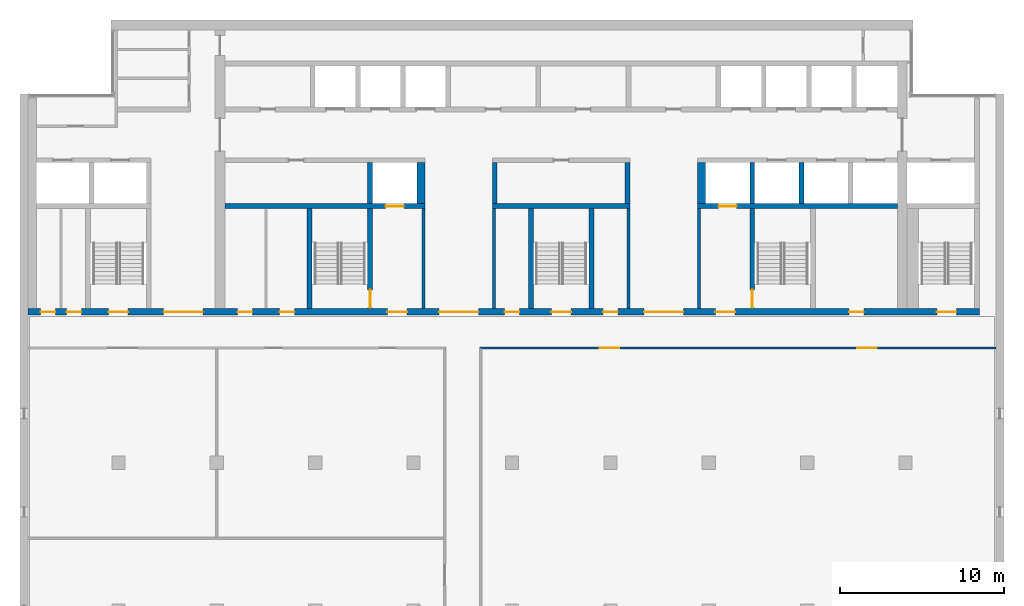
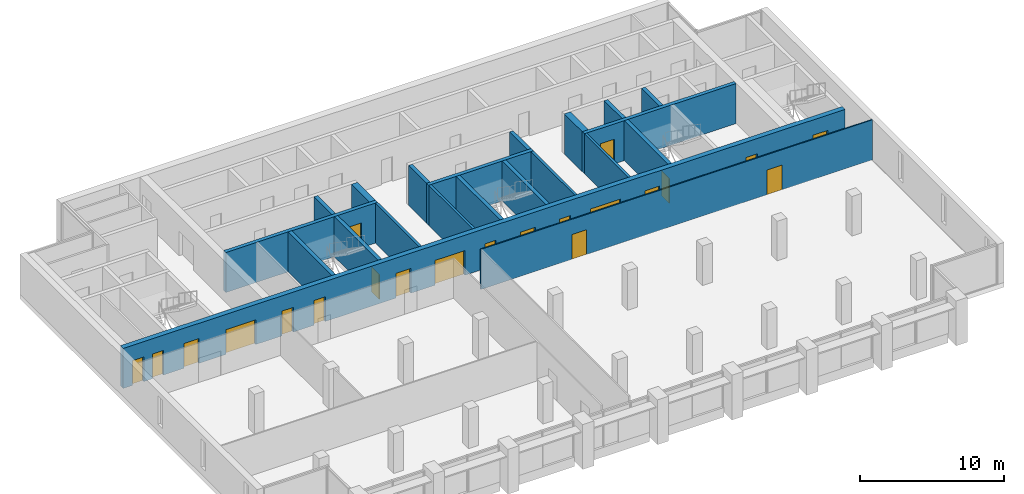
# One storey, part 8 of 14: 21 doors, 21 walls, 21 openings.
"""IFC4 building model written with IfcOpenShell, lengths in metres."""

from ifc_helpers import new_model, si_unit, direction, frame, frame_2d, origin, place, context, subcontext, project, spatial, rectangle, extrude, material, layer, layer_set, type_object, element, fill, save


model = new_model("IFC4")

# Units and contexts
model_context = context("Model", 3, precision=1e-05, world=origin(), true_north=direction((0.0, 1.0)))
body_context = subcontext(model_context, "Body", "Model", "MODEL_VIEW")
ifc_project = project(units=[si_unit("LENGTHUNIT", "METRE"), si_unit("AREAUNIT", "SQUARE_METRE"), si_unit("VOLUMEUNIT", "CUBIC_METRE"), si_unit("PLANEANGLEUNIT", "RADIAN"), si_unit("MASSUNIT", "GRAM", prefix="KILO")], contexts=[model_context])

# Site, building, storey
site_placement = place(None, origin())
site = spatial("IfcSite", under=ifc_project, at=site_placement, CompositionType="ELEMENT")
building_placement = place(site_placement, origin())
building = spatial("IfcBuilding", under=site, at=building_placement, Name="Calvaro Tower", CompositionType="ELEMENT")
storey_placement = place(building_placement, frame((0.0, 0.0, 254.550048828125)))
storey = spatial("IfcBuildingStorey", under=building, at=storey_placement, Name="L64", CompositionType="ELEMENT", Elevation=254.550048828125)

# Walls
ifc_material_1 = material(Name="Blockwork partition", Category="masonry")
ifc_layer_1 = layer(ifc_material_1, 0.199951171875)
ifc_layer_set_1 = layer_set([ifc_layer_1], Name="Blockwork partition")
wall_type_1 = type_object("IfcWallType", Name="Core partition 200 REI 120", PredefinedType="PARTITIONING", material=ifc_layer_set_1)
for number, where, z_axis, x_axis, name in (
    (1, (30.60009765625, 28.39990234375, 0.0), (0.0, 0.0, 1.0), (0.0, 1.0, 0.0), "Core partition"),
    (2, (34.89990234375, 28.39990234375, 0.0), (0.0, 0.0, 1.0), (0.0, 1.0, 0.0), "Core partition"),
    (3, (43.10009765625, 28.39990234375, 0.0), (0.0, 0.0, 1.0), (0.0, 1.0, 0.0), "Core partition"),
    (4, (47.39990234375, 28.39990234375, 0.0), (0.0, 0.0, 1.0), (0.0, 1.0, 0.0), "Core partition"),
):
    element("IfcWall", number, at=place(storey_placement, frame(where, z_axis=z_axis, x_axis=x_axis)), inside=storey, type_object=wall_type_1, Name=name, PredefinedType="PARTITIONING", context=body_context, shape_type="SweptSolid", body=[
        extrude(rectangle(XDim=6.10009765625, YDim=0.199951171875, at=frame_2d((3.050048828125, 0.0))), origin(), (0.0, 0.0, 1.0), 3.39990234375),
    ])
ifc_material_2 = material(Name="Concrete C40/50", Category="concrete")
ifc_layer_2 = layer(ifc_material_2, 0.300048828125)
ifc_layer_set_2 = layer_set([ifc_layer_2], Name="Concrete C40/50")
wall_type_2 = type_object("IfcWallType", Name="Core wall C40/50 300", PredefinedType="SHEAR", material=ifc_layer_set_2)
wall_1_placement = place(storey_placement, frame((23.64990234375, 28.39990234375, 0.0), z_axis=(0.0, 0.0, 1.0), x_axis=(0.0, 1.0, 0.0)))
element("IfcWall", 5, at=wall_1_placement, inside=storey, type_object=wall_type_2, Name="Core wall, stair enclosure", PredefinedType="SHEAR", context=body_context, shape_type="SweptSolid", body=[
    extrude(rectangle(XDim=6.10009765625, YDim=0.300048828125, at=frame_2d((3.050048828125, 0.0))), origin(), (0.0, 0.0, 1.0), 3.39990234375),
])

# Wall, opening, door
wall_2_placement = place(storey_placement, frame((27.35009765625, 28.39990234375, 0.0), z_axis=(0.0, 0.0, 1.0), x_axis=(0.0, 1.0, 0.0)))
wall_2 = element("IfcWall", 6, at=wall_2_placement, inside=storey, type_object=wall_type_2, Name="Core wall, stair enclosure", PredefinedType="SHEAR", context=body_context, shape_type="SweptSolid", body=[
    extrude(rectangle(XDim=6.10009765625, YDim=0.300048828125, at=frame_2d((3.050048828125, 0.0))), origin(), (0.0, 0.0, 1.0), 3.39990234375),
])
opening_1_placement = place(wall_2_placement, frame((0.050048828125, 0.0, 0.0)))
opening_1 = element("IfcOpeningElement", 7, at=opening_1_placement, cuts=wall_2, Name="Opening FD11D", PredefinedType="OPENING", context=body_context, shape_type="SweptSolid", body=[
    extrude(rectangle(XDim=1.10009765625, YDim=2.10009765625, at=frame_2d((0.550048828125, 1.050048828125))), frame((0.0, 0.159912109375, 0.0), z_axis=(0.0, -1.0, 0.0), x_axis=(1.0, 0.0, 0.0)), (0.0, 0.0, 1.0), 0.320068359375),
])
ifc_material_3 = material(Name="Steel door set", Category="steel")
door_type_1 = type_object("IfcDoorType", Name="Fire door 1100 FD30S", OperationType="SINGLE_SWING_LEFT", PredefinedType="DOOR", material=ifc_material_3)
door_1_placement = place(opening_1_placement, origin())
door_1 = element("IfcDoor", 8, at=door_1_placement, inside=storey, type_object=door_type_1, Name="Fire door", OperationType="SINGLE_SWING_LEFT", OverallHeight=2.10009765625, OverallWidth=1.10009765625, PredefinedType="DOOR", context=body_context, shape_type="SweptSolid", body=[
    extrude(rectangle(XDim=1.10009765625, YDim=2.10009765625, at=frame_2d((0.550048828125, 1.050048828125))), frame((0.0, 0.02490234375, 0.0), z_axis=(0.0, -1.0, 0.0), x_axis=(1.0, 0.0, 0.0)), (0.0, 0.0, 1.0), 0.050048828125),
])
fill(opening_1, door_1)

# Walls
for number, where, z_axis, x_axis, name in (
    (9, (37.14990234375, 28.39990234375, 0.0), (0.0, 0.0, 1.0), (0.0, 1.0, 0.0), "Core wall, stair enclosure"),
    (10, (40.85009765625, 28.39990234375, 0.0), (0.0, 0.0, 1.0), (0.0, 1.0, 0.0), "Core wall, stair enclosure"),
):
    element("IfcWall", number, at=place(storey_placement, frame(where, z_axis=z_axis, x_axis=x_axis)), inside=storey, type_object=wall_type_2, Name=name, PredefinedType="SHEAR", context=body_context, shape_type="SweptSolid", body=[
        extrude(rectangle(XDim=6.10009765625, YDim=0.300048828125, at=frame_2d((3.050048828125, 0.0))), origin(), (0.0, 0.0, 1.0), 3.39990234375),
    ])

# Wall, opening, door
wall_3_placement = place(storey_placement, frame((50.64990234375, 34.5, 0.0), z_axis=(0.0, 0.0, 1.0), x_axis=(0.0, -1.0, 0.0)))
wall_3 = element("IfcWall", 11, at=wall_3_placement, inside=storey, type_object=wall_type_2, Name="Core wall, stair enclosure", PredefinedType="SHEAR", context=body_context, shape_type="SweptSolid", body=[
    extrude(rectangle(XDim=6.10009765625, YDim=0.300048828125, at=frame_2d((3.050048828125, 0.0))), origin(), (0.0, 0.0, 1.0), 3.39990234375),
])
opening_2_placement = place(wall_3_placement, frame((4.949951171875, 0.0, 0.0)))
opening_2 = element("IfcOpeningElement", 12, at=opening_2_placement, cuts=wall_3, Name="Opening FD11D", PredefinedType="OPENING", context=body_context, shape_type="SweptSolid", body=[
    extrude(rectangle(XDim=1.10009765625, YDim=2.10009765625, at=frame_2d((0.550048828125, 1.050048828125))), frame((0.0, 0.159912109375, 0.0), z_axis=(0.0, -1.0, 0.0), x_axis=(1.0, 0.0, 0.0)), (0.0, 0.0, 1.0), 0.320068359375),
])
door_2_placement = place(opening_2_placement, origin())
door_2 = element("IfcDoor", 13, at=door_2_placement, inside=storey, type_object=door_type_1, Name="Fire door", OperationType="SINGLE_SWING_RIGHT", OverallHeight=2.10009765625, OverallWidth=1.10009765625, PredefinedType="DOOR", context=body_context, shape_type="SweptSolid", body=[
    extrude(rectangle(XDim=1.10009765625, YDim=2.10009765625, at=frame_2d((0.550048828125, 1.050048828125))), frame((0.0, 0.02490234375, 0.0), z_axis=(0.0, -1.0, 0.0), x_axis=(1.0, 0.0, 0.0)), (0.0, 0.0, 1.0), 0.050048828125),
])
fill(opening_2, door_2)

wall_4_placement = place(storey_placement, frame((18.5, 34.64990234375, 0.0), z_axis=(0.0, 0.0, 1.0), x_axis=(1.0, 0.0, 0.0)))
wall_4 = element("IfcWall", 14, at=wall_4_placement, inside=storey, type_object=wall_type_2, Name="Core wall, lift shaft", PredefinedType="SHEAR", context=body_context, shape_type="SweptSolid", body=[
    extrude(rectangle(XDim=12.199951171875, YDim=0.300048828125, at=frame_2d((6.10009765625, 0.0))), origin(), (0.0, 0.0, 1.0), 3.39990234375),
])
opening_3_placement = place(wall_4_placement, frame((9.800048828125, 0.0, 0.0)))
opening_3 = element("IfcOpeningElement", 15, at=opening_3_placement, cuts=wall_4, Name="Opening FF1", PredefinedType="OPENING", context=body_context, shape_type="SweptSolid", body=[
    extrude(rectangle(XDim=1.10009765625, YDim=2.10009765625, at=frame_2d((0.550048828125, 1.050048828125))), frame((0.0, 0.159912109375, 0.0), z_axis=(0.0, -1.0, 0.0), x_axis=(1.0, 0.0, 0.0)), (0.0, 0.0, 1.0), 0.320068359375),
])
ifc_material_4 = material(Name="Stainless steel", Category="steel")
door_type_2 = type_object("IfcDoorType", Name="Landing door 1100 E 60", OperationType="SLIDING_TO_LEFT", PredefinedType="DOOR", material=ifc_material_4)
door_3_placement = place(opening_3_placement, origin())
door_3 = element("IfcDoor", 16, at=door_3_placement, inside=storey, type_object=door_type_2, Name="Landing door FF1", OperationType="SLIDING_TO_LEFT", OverallHeight=2.10009765625, OverallWidth=1.10009765625, PredefinedType="DOOR", context=body_context, shape_type="SweptSolid", body=[
    extrude(rectangle(XDim=1.10009765625, YDim=2.10009765625, at=frame_2d((0.550048828125, 1.050048828125))), frame((0.0, 0.02490234375, 0.0), z_axis=(0.0, -1.0, 0.0), x_axis=(1.0, 0.0, 0.0)), (0.0, 0.0, 1.0), 0.050048828125),
])
fill(opening_3, door_3)

# Wall
wall_5_placement = place(storey_placement, frame((34.800048828125, 34.64990234375, 0.0), z_axis=(0.0, 0.0, 1.0), x_axis=(1.0, 0.0, 0.0)))
element("IfcWall", 17, at=wall_5_placement, inside=storey, type_object=wall_type_2, Name="Core wall, lift shaft", PredefinedType="SHEAR", context=body_context, shape_type="SweptSolid", body=[
    extrude(rectangle(XDim=8.39990234375, YDim=0.300048828125, at=frame_2d((4.199951171875, 0.0))), origin(), (0.0, 0.0, 1.0), 3.39990234375),
])

# Wall, opening, door
wall_6_placement = place(storey_placement, frame((47.300048828125, 34.64990234375, 0.0), z_axis=(0.0, 0.0, 1.0), x_axis=(1.0, 0.0, 0.0)))
wall_6 = element("IfcWall", 18, at=wall_6_placement, inside=storey, type_object=wall_type_2, Name="Core wall, lift shaft", PredefinedType="SHEAR", context=body_context, shape_type="SweptSolid", body=[
    extrude(rectangle(XDim=12.199951171875, YDim=0.300048828125, at=frame_2d((6.10009765625, 0.0))), origin(), (0.0, 0.0, 1.0), 3.39990234375),
])
opening_4_placement = place(wall_6_placement, frame((1.300048828125, 0.0, 0.0)))
opening_4 = element("IfcOpeningElement", 19, at=opening_4_placement, cuts=wall_6, Name="Opening FF2", PredefinedType="OPENING", context=body_context, shape_type="SweptSolid", body=[
    extrude(rectangle(XDim=1.10009765625, YDim=2.10009765625, at=frame_2d((0.550048828125, 1.050048828125))), frame((0.0, 0.159912109375, 0.0), z_axis=(0.0, -1.0, 0.0), x_axis=(1.0, 0.0, 0.0)), (0.0, 0.0, 1.0), 0.320068359375),
])
door_4_placement = place(opening_4_placement, origin())
door_4 = element("IfcDoor", 20, at=door_4_placement, inside=storey, type_object=door_type_2, Name="Landing door FF2", OperationType="SLIDING_TO_LEFT", OverallHeight=2.10009765625, OverallWidth=1.10009765625, PredefinedType="DOOR", context=body_context, shape_type="SweptSolid", body=[
    extrude(rectangle(XDim=1.10009765625, YDim=2.10009765625, at=frame_2d((0.550048828125, 1.050048828125))), frame((0.0, 0.02490234375, 0.0), z_axis=(0.0, -1.0, 0.0), x_axis=(1.0, 0.0, 0.0)), (0.0, 0.0, 1.0), 0.050048828125),
])
fill(opening_4, door_4)

# Walls
for number, where, z_axis, x_axis, name in (
    (21, (27.35009765625, 34.800048828125, 0.0), (0.0, 0.0, 1.0), (0.0, 1.0, 0.0), "Core wall, lift shaft"),
    (22, (34.949951171875, 34.800048828125, 0.0), (0.0, 0.0, 1.0), (0.0, 1.0, 0.0), "Core wall, lift shaft"),
    (23, (43.050048828125, 34.800048828125, 0.0), (0.0, 0.0, 1.0), (0.0, 1.0, 0.0), "Core wall, lift shaft"),
    (24, (50.64990234375, 34.800048828125, 0.0), (0.0, 0.0, 1.0), (0.0, 1.0, 0.0), "Core wall, lift shaft"),
    (25, (53.64990234375, 34.800048828125, 0.0), (0.0, 0.0, 1.0), (0.0, 1.0, 0.0), "Core wall, lift shaft"),
):
    element("IfcWall", number, at=place(storey_placement, frame(where, z_axis=z_axis, x_axis=x_axis)), inside=storey, type_object=wall_type_2, Name=name, PredefinedType="SHEAR", context=body_context, shape_type="SweptSolid", body=[
        extrude(rectangle(XDim=2.5, YDim=0.300048828125, at=frame_2d((1.25, 0.0))), origin(), (0.0, 0.0, 1.0), 3.39990234375),
    ])

# Wall, openings, doors
ifc_material_5 = material(Name="Concrete C40/50", Category="concrete")
ifc_layer_3 = layer(ifc_material_5, 0.39990234375)
ifc_layer_set_3 = layer_set([ifc_layer_3], Name="Concrete C40/50")
wall_type_3 = type_object("IfcWallType", Name="Core wall C40/50 400", PredefinedType="SHEAR", material=ifc_layer_set_3)
wall_7_placement = place(storey_placement, frame((6.5, 28.199951171875, 0.0), z_axis=(0.0, 0.0, 1.0), x_axis=(1.0, 0.0, 0.0)))
wall_7 = element("IfcWall", 26, at=wall_7_placement, inside=storey, type_object=wall_type_3, Name="Core wall, front", PredefinedType="SHEAR", context=body_context, shape_type="SweptSolid", body=[
    extrude(rectangle(XDim=58.0, YDim=0.39990234375, at=frame_2d((29.0, 0.0))), origin(), (0.0, 0.0, 1.0), 3.39990234375),
])
opening_5_placement = place(wall_7_placement, frame((12.762451171875, 0.0, 0.0)))
opening_5 = element("IfcOpeningElement", 27, at=opening_5_placement, cuts=wall_7, Name="Opening RD9E", PredefinedType="OPENING", context=body_context, shape_type="SweptSolid", body=[
    extrude(rectangle(XDim=0.89990234375, YDim=2.10009765625, at=frame_2d((0.449951171875, 1.050048828125))), frame((0.0, 0.2099609375, 0.0), z_axis=(0.0, -1.0, 0.0), x_axis=(1.0, 0.0, 0.0)), (0.0, 0.0, 1.0), 0.419921875),
])
opening_6_placement = place(wall_7_placement, frame((15.33740234375, 0.0, 0.0)))
opening_6 = element("IfcOpeningElement", 28, at=opening_6_placement, cuts=wall_7, Name="Opening RD9C", PredefinedType="OPENING", context=body_context, shape_type="SweptSolid", body=[
    extrude(rectangle(XDim=0.89990234375, YDim=2.10009765625, at=frame_2d((0.449951171875, 1.050048828125))), frame((0.0, 0.2099609375, 0.0), z_axis=(0.0, -1.0, 0.0), x_axis=(1.0, 0.0, 0.0)), (0.0, 0.0, 1.0), 0.419921875),
])
opening_7_placement = place(wall_7_placement, frame((50.050048828125, 0.0, 0.0)))
opening_7 = element("IfcOpeningElement", 29, at=opening_7_placement, cuts=wall_7, Name="Opening RD9E", PredefinedType="OPENING", context=body_context, shape_type="SweptSolid", body=[
    extrude(rectangle(XDim=0.89990234375, YDim=2.10009765625, at=frame_2d((0.449951171875, 1.050048828125))), frame((0.0, 0.2099609375, 0.0), z_axis=(0.0, -1.0, 0.0), x_axis=(1.0, 0.0, 0.0)), (0.0, 0.0, 1.0), 0.419921875),
])
opening_8_placement = place(wall_7_placement, frame((0.762451171875, 0.0, 0.0)))
opening_8 = element("IfcOpeningElement", 30, at=opening_8_placement, cuts=wall_7, Name="Opening RD9C", PredefinedType="OPENING", context=body_context, shape_type="SweptSolid", body=[
    extrude(rectangle(XDim=0.89990234375, YDim=2.10009765625, at=frame_2d((0.449951171875, 1.050048828125))), frame((0.0, 0.2099609375, 0.0), z_axis=(0.0, -1.0, 0.0), x_axis=(1.0, 0.0, 0.0)), (0.0, 0.0, 1.0), 0.419921875),
])
opening_9_placement = place(wall_7_placement, frame((2.33740234375, 0.0, 0.0)))
opening_9 = element("IfcOpeningElement", 31, at=opening_9_placement, cuts=wall_7, Name="Opening RD9E", PredefinedType="OPENING", context=body_context, shape_type="SweptSolid", body=[
    extrude(rectangle(XDim=0.89990234375, YDim=2.10009765625, at=frame_2d((0.449951171875, 1.050048828125))), frame((0.0, 0.2099609375, 0.0), z_axis=(0.0, -1.0, 0.0), x_axis=(1.0, 0.0, 0.0)), (0.0, 0.0, 1.0), 0.419921875),
])
opening_10_placement = place(wall_7_placement, frame((4.89990234375, 0.0, 0.0)))
opening_10 = element("IfcOpeningElement", 32, at=opening_10_placement, cuts=wall_7, Name="Opening SD12D", PredefinedType="OPENING", context=body_context, shape_type="SweptSolid", body=[
    extrude(rectangle(XDim=1.199951171875, YDim=2.10009765625, at=frame_2d((0.60009765625, 1.050048828125))), frame((0.0, 0.2099609375, 0.0), z_axis=(0.0, -1.0, 0.0), x_axis=(1.0, 0.0, 0.0)), (0.0, 0.0, 1.0), 0.419921875),
])
opening_11_placement = place(wall_7_placement, frame((31.89990234375, 0.0, 0.0)))
opening_11 = element("IfcOpeningElement", 33, at=opening_11_placement, cuts=wall_7, Name="Opening SD12D", PredefinedType="OPENING", context=body_context, shape_type="SweptSolid", body=[
    extrude(rectangle(XDim=1.199951171875, YDim=2.10009765625, at=frame_2d((0.60009765625, 1.050048828125))), frame((0.0, 0.2099609375, 0.0), z_axis=(0.0, -1.0, 0.0), x_axis=(1.0, 0.0, 0.0)), (0.0, 0.0, 1.0), 0.419921875),
])
opening_12_placement = place(wall_7_placement, frame((55.39990234375, 0.0, 0.0)))
opening_12 = element("IfcOpeningElement", 34, at=opening_12_placement, cuts=wall_7, Name="Opening SD12D", PredefinedType="OPENING", context=body_context, shape_type="SweptSolid", body=[
    extrude(rectangle(XDim=1.199951171875, YDim=2.10009765625, at=frame_2d((0.60009765625, 1.050048828125))), frame((0.0, 0.2099609375, 0.0), z_axis=(0.0, -1.0, 0.0), x_axis=(1.0, 0.0, 0.0)), (0.0, 0.0, 1.0), 0.419921875),
])
opening_13_placement = place(wall_7_placement, frame((21.89990234375, 0.0, 0.0)))
opening_13 = element("IfcOpeningElement", 35, at=opening_13_placement, cuts=wall_7, Name="Opening FD12F", PredefinedType="OPENING", context=body_context, shape_type="SweptSolid", body=[
    extrude(rectangle(XDim=1.199951171875, YDim=2.10009765625, at=frame_2d((0.60009765625, 1.050048828125))), frame((0.0, 0.2099609375, 0.0), z_axis=(0.0, -1.0, 0.0), x_axis=(1.0, 0.0, 0.0)), (0.0, 0.0, 1.0), 0.419921875),
])
opening_14_placement = place(wall_7_placement, frame((41.89990234375, 0.0, 0.0)))
opening_14 = element("IfcOpeningElement", 36, at=opening_14_placement, cuts=wall_7, Name="Opening FD12F", PredefinedType="OPENING", context=body_context, shape_type="SweptSolid", body=[
    extrude(rectangle(XDim=1.199951171875, YDim=2.10009765625, at=frame_2d((0.60009765625, 1.050048828125))), frame((0.0, 0.2099609375, 0.0), z_axis=(0.0, -1.0, 0.0), x_axis=(1.0, 0.0, 0.0)), (0.0, 0.0, 1.0), 0.419921875),
])
opening_15_placement = place(wall_7_placement, frame((25.050048828125, 0.0, 0.0)))
opening_15 = element("IfcOpeningElement", 37, at=opening_15_placement, cuts=wall_7, Name="Opening DD24D", PredefinedType="OPENING", context=body_context, shape_type="SweptSolid", body=[
    extrude(rectangle(XDim=2.39990234375, YDim=2.10009765625, at=frame_2d((1.199951171875, 1.050048828125))), frame((0.0, 0.2099609375, 0.0), z_axis=(0.0, -1.0, 0.0), x_axis=(1.0, 0.0, 0.0)), (0.0, 0.0, 1.0), 0.419921875),
])
opening_16_placement = place(wall_7_placement, frame((37.550048828125, 0.0, 0.0)))
opening_16 = element("IfcOpeningElement", 38, at=opening_16_placement, cuts=wall_7, Name="Opening DD24D", PredefinedType="OPENING", context=body_context, shape_type="SweptSolid", body=[
    extrude(rectangle(XDim=2.39990234375, YDim=2.10009765625, at=frame_2d((1.199951171875, 1.050048828125))), frame((0.0, 0.2099609375, 0.0), z_axis=(0.0, -1.0, 0.0), x_axis=(1.0, 0.0, 0.0)), (0.0, 0.0, 1.0), 0.419921875),
])
opening_17_placement = place(wall_7_placement, frame((8.25, 0.0, 0.0)))
opening_17 = element("IfcOpeningElement", 39, at=opening_17_placement, cuts=wall_7, Name="Opening DD24D", PredefinedType="OPENING", context=body_context, shape_type="SweptSolid", body=[
    extrude(rectangle(XDim=2.39990234375, YDim=2.10009765625, at=frame_2d((1.199951171875, 1.050048828125))), frame((0.0, 0.2099609375, 0.0), z_axis=(0.0, -1.0, 0.0), x_axis=(1.0, 0.0, 0.0)), (0.0, 0.0, 1.0), 0.419921875),
])
opening_18_placement = place(wall_7_placement, frame((29.050048828125, 0.0, 0.0)))
opening_18 = element("IfcOpeningElement", 40, at=opening_18_placement, cuts=wall_7, Name="Opening RD9E", PredefinedType="OPENING", context=body_context, shape_type="SweptSolid", body=[
    extrude(rectangle(XDim=0.89990234375, YDim=2.10009765625, at=frame_2d((0.449951171875, 1.050048828125))), frame((0.0, 0.2099609375, 0.0), z_axis=(0.0, -1.0, 0.0), x_axis=(1.0, 0.0, 0.0)), (0.0, 0.0, 1.0), 0.419921875),
])
opening_19_placement = place(wall_7_placement, frame((35.050048828125, 0.0, 0.0)))
opening_19 = element("IfcOpeningElement", 41, at=opening_19_placement, cuts=wall_7, Name="Opening RD9E", PredefinedType="OPENING", context=body_context, shape_type="SweptSolid", body=[
    extrude(rectangle(XDim=0.89990234375, YDim=2.10009765625, at=frame_2d((0.449951171875, 1.050048828125))), frame((0.0, 0.2099609375, 0.0), z_axis=(0.0, -1.0, 0.0), x_axis=(1.0, 0.0, 0.0)), (0.0, 0.0, 1.0), 0.419921875),
])
ifc_material_6 = material(Name="Steel door set", Category="steel")
door_type_3 = type_object("IfcDoorType", Name="Fire door 1200 FD60S", OperationType="SINGLE_SWING_LEFT", PredefinedType="DOOR", material=ifc_material_6)
door_5_placement = place(opening_13_placement, origin())
door_5 = element("IfcDoor", 42, at=door_5_placement, inside=storey, type_object=door_type_3, Name="Fire door", OperationType="SINGLE_SWING_LEFT", OverallHeight=2.10009765625, OverallWidth=1.199951171875, PredefinedType="DOOR", context=body_context, shape_type="SweptSolid", body=[
    extrude(rectangle(XDim=1.199951171875, YDim=2.10009765625, at=frame_2d((0.60009765625, 1.050048828125))), frame((0.0, 0.02490234375, 0.0), z_axis=(0.0, -1.0, 0.0), x_axis=(1.0, 0.0, 0.0)), (0.0, 0.0, 1.0), 0.050048828125),
])
fill(opening_13, door_5)
door_6_placement = place(opening_14_placement, origin())
door_6 = element("IfcDoor", 43, at=door_6_placement, inside=storey, type_object=door_type_3, Name="Fire door", OperationType="SINGLE_SWING_LEFT", OverallHeight=2.10009765625, OverallWidth=1.199951171875, PredefinedType="DOOR", context=body_context, shape_type="SweptSolid", body=[
    extrude(rectangle(XDim=1.199951171875, YDim=2.10009765625, at=frame_2d((0.60009765625, 1.050048828125))), frame((0.0, 0.02490234375, 0.0), z_axis=(0.0, -1.0, 0.0), x_axis=(1.0, 0.0, 0.0)), (0.0, 0.0, 1.0), 0.050048828125),
])
fill(opening_14, door_6)
ifc_material_7 = material(Name="Steel door set", Category="steel")
door_type_4 = type_object("IfcDoorType", Name="Lobby double door 2400 FD30S", OperationType="DOUBLE_DOOR_SINGLE_SWING", PredefinedType="DOOR", material=ifc_material_7)
door_7_placement = place(opening_15_placement, origin())
door_7 = element("IfcDoor", 44, at=door_7_placement, inside=storey, type_object=door_type_4, Name="Lobby double door", OperationType="DOUBLE_DOOR_SINGLE_SWING", OverallHeight=2.10009765625, OverallWidth=2.39990234375, PredefinedType="DOOR", context=body_context, shape_type="SweptSolid", body=[
    extrude(rectangle(XDim=2.39990234375, YDim=2.10009765625, at=frame_2d((1.199951171875, 1.050048828125))), frame((0.0, 0.02490234375, 0.0), z_axis=(0.0, -1.0, 0.0), x_axis=(1.0, 0.0, 0.0)), (0.0, 0.0, 1.0), 0.050048828125),
])
fill(opening_15, door_7)
door_8_placement = place(opening_16_placement, origin())
door_8 = element("IfcDoor", 45, at=door_8_placement, inside=storey, type_object=door_type_4, Name="Lobby double door", OperationType="DOUBLE_DOOR_SINGLE_SWING", OverallHeight=2.10009765625, OverallWidth=2.39990234375, PredefinedType="DOOR", context=body_context, shape_type="SweptSolid", body=[
    extrude(rectangle(XDim=2.39990234375, YDim=2.10009765625, at=frame_2d((1.199951171875, 1.050048828125))), frame((0.0, 0.02490234375, 0.0), z_axis=(0.0, -1.0, 0.0), x_axis=(1.0, 0.0, 0.0)), (0.0, 0.0, 1.0), 0.050048828125),
])
fill(opening_16, door_8)
door_9_placement = place(opening_17_placement, origin())
door_9 = element("IfcDoor", 46, at=door_9_placement, inside=storey, type_object=door_type_4, Name="Lobby double door", OperationType="DOUBLE_DOOR_SINGLE_SWING", OverallHeight=2.10009765625, OverallWidth=2.39990234375, PredefinedType="DOOR", context=body_context, shape_type="SweptSolid", body=[
    extrude(rectangle(XDim=2.39990234375, YDim=2.10009765625, at=frame_2d((1.199951171875, 1.050048828125))), frame((0.0, 0.02490234375, 0.0), z_axis=(0.0, -1.0, 0.0), x_axis=(1.0, 0.0, 0.0)), (0.0, 0.0, 1.0), 0.050048828125),
])
fill(opening_17, door_9)
ifc_material_8 = material(Name="Steel door set", Category="steel")
door_type_5 = type_object("IfcDoorType", Name="Room door 900 FD30", OperationType="SINGLE_SWING_LEFT", PredefinedType="DOOR", material=ifc_material_8)
door_10_placement = place(opening_6_placement, origin())
door_10 = element("IfcDoor", 47, at=door_10_placement, inside=storey, type_object=door_type_5, Name="Room door", OperationType="SINGLE_SWING_RIGHT", OverallHeight=2.10009765625, OverallWidth=0.89990234375, PredefinedType="DOOR", context=body_context, shape_type="SweptSolid", body=[
    extrude(rectangle(XDim=0.89990234375, YDim=2.10009765625, at=frame_2d((0.449951171875, 1.050048828125))), frame((0.0, 0.02490234375, 0.0), z_axis=(0.0, -1.0, 0.0), x_axis=(1.0, 0.0, 0.0)), (0.0, 0.0, 1.0), 0.050048828125),
])
fill(opening_6, door_10)
door_11_placement = place(opening_8_placement, origin())
door_11 = element("IfcDoor", 48, at=door_11_placement, inside=storey, type_object=door_type_5, Name="Room door", OperationType="SINGLE_SWING_LEFT", OverallHeight=2.10009765625, OverallWidth=0.89990234375, PredefinedType="DOOR", context=body_context, shape_type="SweptSolid", body=[
    extrude(rectangle(XDim=0.89990234375, YDim=2.10009765625, at=frame_2d((0.449951171875, 1.050048828125))), frame((0.0, 0.02490234375, 0.0), z_axis=(0.0, -1.0, 0.0), x_axis=(1.0, 0.0, 0.0)), (0.0, 0.0, 1.0), 0.050048828125),
])
fill(opening_8, door_11)
ifc_material_9 = material(Name="Steel door set", Category="steel")
door_type_6 = type_object("IfcDoorType", Name="Room door 900 FD60", OperationType="SINGLE_SWING_LEFT", PredefinedType="DOOR", material=ifc_material_9)
door_12_placement = place(opening_5_placement, origin())
door_12 = element("IfcDoor", 49, at=door_12_placement, inside=storey, type_object=door_type_6, Name="Room door", OperationType="SINGLE_SWING_LEFT", OverallHeight=2.10009765625, OverallWidth=0.89990234375, PredefinedType="DOOR", context=body_context, shape_type="SweptSolid", body=[
    extrude(rectangle(XDim=0.89990234375, YDim=2.10009765625, at=frame_2d((0.449951171875, 1.050048828125))), frame((0.0, 0.02490234375, 0.0), z_axis=(0.0, -1.0, 0.0), x_axis=(1.0, 0.0, 0.0)), (0.0, 0.0, 1.0), 0.050048828125),
])
fill(opening_5, door_12)
door_13_placement = place(opening_7_placement, origin())
door_13 = element("IfcDoor", 50, at=door_13_placement, inside=storey, type_object=door_type_6, Name="Room door", OperationType="SINGLE_SWING_LEFT", OverallHeight=2.10009765625, OverallWidth=0.89990234375, PredefinedType="DOOR", context=body_context, shape_type="SweptSolid", body=[
    extrude(rectangle(XDim=0.89990234375, YDim=2.10009765625, at=frame_2d((0.449951171875, 1.050048828125))), frame((0.0, 0.02490234375, 0.0), z_axis=(0.0, -1.0, 0.0), x_axis=(1.0, 0.0, 0.0)), (0.0, 0.0, 1.0), 0.050048828125),
])
fill(opening_7, door_13)
door_14_placement = place(opening_9_placement, origin())
door_14 = element("IfcDoor", 51, at=door_14_placement, inside=storey, type_object=door_type_6, Name="Room door", OperationType="SINGLE_SWING_LEFT", OverallHeight=2.10009765625, OverallWidth=0.89990234375, PredefinedType="DOOR", context=body_context, shape_type="SweptSolid", body=[
    extrude(rectangle(XDim=0.89990234375, YDim=2.10009765625, at=frame_2d((0.449951171875, 1.050048828125))), frame((0.0, 0.02490234375, 0.0), z_axis=(0.0, -1.0, 0.0), x_axis=(1.0, 0.0, 0.0)), (0.0, 0.0, 1.0), 0.050048828125),
])
fill(opening_9, door_14)
door_15_placement = place(opening_18_placement, origin())
door_15 = element("IfcDoor", 52, at=door_15_placement, inside=storey, type_object=door_type_6, Name="Room door", OperationType="SINGLE_SWING_LEFT", OverallHeight=2.10009765625, OverallWidth=0.89990234375, PredefinedType="DOOR", context=body_context, shape_type="SweptSolid", body=[
    extrude(rectangle(XDim=0.89990234375, YDim=2.10009765625, at=frame_2d((0.449951171875, 1.050048828125))), frame((0.0, 0.02490234375, 0.0), z_axis=(0.0, -1.0, 0.0), x_axis=(1.0, 0.0, 0.0)), (0.0, 0.0, 1.0), 0.050048828125),
])
fill(opening_18, door_15)
door_16_placement = place(opening_19_placement, origin())
door_16 = element("IfcDoor", 53, at=door_16_placement, inside=storey, type_object=door_type_6, Name="Room door", OperationType="SINGLE_SWING_LEFT", OverallHeight=2.10009765625, OverallWidth=0.89990234375, PredefinedType="DOOR", context=body_context, shape_type="SweptSolid", body=[
    extrude(rectangle(XDim=0.89990234375, YDim=2.10009765625, at=frame_2d((0.449951171875, 1.050048828125))), frame((0.0, 0.02490234375, 0.0), z_axis=(0.0, -1.0, 0.0), x_axis=(1.0, 0.0, 0.0)), (0.0, 0.0, 1.0), 0.050048828125),
])
fill(opening_19, door_16)
ifc_material_10 = material(Name="Steel door set", Category="steel")
door_type_7 = type_object("IfcDoorType", Name="Stair door 1200 FD30S", OperationType="SINGLE_SWING_LEFT", PredefinedType="DOOR", material=ifc_material_10)
door_17_placement = place(opening_10_placement, origin())
door_17 = element("IfcDoor", 54, at=door_17_placement, inside=storey, type_object=door_type_7, Name="Stair door", OperationType="SINGLE_SWING_LEFT", OverallHeight=2.10009765625, OverallWidth=1.199951171875, PredefinedType="DOOR", context=body_context, shape_type="SweptSolid", body=[
    extrude(rectangle(XDim=1.199951171875, YDim=2.10009765625, at=frame_2d((0.60009765625, 1.050048828125))), frame((0.0, 0.02490234375, 0.0), z_axis=(0.0, -1.0, 0.0), x_axis=(1.0, 0.0, 0.0)), (0.0, 0.0, 1.0), 0.050048828125),
])
fill(opening_10, door_17)
door_18_placement = place(opening_11_placement, origin())
door_18 = element("IfcDoor", 55, at=door_18_placement, inside=storey, type_object=door_type_7, Name="Stair door", OperationType="SINGLE_SWING_LEFT", OverallHeight=2.10009765625, OverallWidth=1.199951171875, PredefinedType="DOOR", context=body_context, shape_type="SweptSolid", body=[
    extrude(rectangle(XDim=1.199951171875, YDim=2.10009765625, at=frame_2d((0.60009765625, 1.050048828125))), frame((0.0, 0.02490234375, 0.0), z_axis=(0.0, -1.0, 0.0), x_axis=(1.0, 0.0, 0.0)), (0.0, 0.0, 1.0), 0.050048828125),
])
fill(opening_11, door_18)
door_19_placement = place(opening_12_placement, origin())
door_19 = element("IfcDoor", 56, at=door_19_placement, inside=storey, type_object=door_type_7, Name="Stair door", OperationType="SINGLE_SWING_LEFT", OverallHeight=2.10009765625, OverallWidth=1.199951171875, PredefinedType="DOOR", context=body_context, shape_type="SweptSolid", body=[
    extrude(rectangle(XDim=1.199951171875, YDim=2.10009765625, at=frame_2d((0.60009765625, 1.050048828125))), frame((0.0, 0.02490234375, 0.0), z_axis=(0.0, -1.0, 0.0), x_axis=(1.0, 0.0, 0.0)), (0.0, 0.0, 1.0), 0.050048828125),
])
fill(opening_12, door_19)

# Walls
ifc_material_11 = material(Name="Concrete C40/50", Category="concrete")
ifc_layer_4 = layer(ifc_material_11, 0.5)
ifc_layer_set_4 = layer_set([ifc_layer_4], Name="Concrete C40/50")
wall_type_4 = type_object("IfcWallType", Name="Core wall C40/50 500", PredefinedType="SHEAR", material=ifc_layer_set_4)
for number, where, z_axis, x_axis, name in (
    (57, (30.449951171875, 34.800048828125, 0.0), (0.0, 0.0, 1.0), (0.0, 1.0, 0.0), "Core wall, lift shaft"),
    (58, (47.550048828125, 34.800048828125, 0.0), (0.0, 0.0, 1.0), (0.0, 1.0, 0.0), "Core wall, lift shaft"),
):
    element("IfcWall", number, at=place(storey_placement, frame(where, z_axis=z_axis, x_axis=x_axis)), inside=storey, type_object=wall_type_4, Name=name, PredefinedType="SHEAR", context=body_context, shape_type="SweptSolid", body=[
        extrude(rectangle(XDim=2.5, YDim=0.5, at=frame_2d((1.25, 0.0))), origin(), (0.0, 0.0, 1.0), 3.39990234375),
    ])

# Wall, openings, doors
ifc_material_12 = material(Name="Plasterboard on steel studs", Category="steel")
ifc_layer_5 = layer(ifc_material_12, 0.10009765625)
ifc_layer_set_5 = layer_set([ifc_layer_5], Name="Plasterboard on steel studs")
wall_type_5 = type_object("IfcWallType", Name="Partition 100", PredefinedType="PARTITIONING", material=ifc_layer_set_5)
wall_8_placement = place(storey_placement, frame((34.050048828125, 26.0, 0.0), z_axis=(0.0, 0.0, 1.0), x_axis=(1.0, 0.0, 0.0)))
wall_8 = element("IfcWall", 59, at=wall_8_placement, inside=storey, type_object=wall_type_5, Name="Partition T36.W003", PredefinedType="PARTITIONING", context=body_context, shape_type="SweptSolid", body=[
    extrude(rectangle(XDim=31.449951171875, YDim=0.10009765625, at=frame_2d((15.72509765625, 0.0))), origin(), (0.0, 0.0, 1.0), 3.39990234375),
])
opening_20_placement = place(wall_8_placement, frame((7.300048828125, 0.0, 0.0)))
opening_20 = element("IfcOpeningElement", 60, at=opening_20_placement, cuts=wall_8, Name="Opening T36.003", PredefinedType="OPENING", context=body_context, shape_type="SweptSolid", body=[
    extrude(rectangle(XDim=1.199951171875, YDim=2.10009765625, at=frame_2d((0.60009765625, 1.050048828125))), frame((0.0, 0.06005859375, 0.0), z_axis=(0.0, -1.0, 0.0), x_axis=(1.0, 0.0, 0.0)), (0.0, 0.0, 1.0), 0.1201171875),
])
opening_21_placement = place(wall_8_placement, frame((23.0, 0.0, 0.0)))
opening_21 = element("IfcOpeningElement", 61, at=opening_21_placement, cuts=wall_8, Name="Opening T36.004", PredefinedType="OPENING", context=body_context, shape_type="SweptSolid", body=[
    extrude(rectangle(XDim=1.199951171875, YDim=2.10009765625, at=frame_2d((0.60009765625, 1.050048828125))), frame((0.0, 0.06005859375, 0.0), z_axis=(0.0, -1.0, 0.0), x_axis=(1.0, 0.0, 0.0)), (0.0, 0.0, 1.0), 0.1201171875),
])
ifc_material_13 = material(Name="Timber", Category="wood")
door_type_8 = type_object("IfcDoorType", Name="Internal single door 1200 x 2100", OperationType="SINGLE_SWING_LEFT", PredefinedType="DOOR", material=ifc_material_13)
door_20_placement = place(opening_20_placement, origin())
door_20 = element("IfcDoor", 62, at=door_20_placement, inside=storey, type_object=door_type_8, Name="Door T36.003", OperationType="SINGLE_SWING_LEFT", OverallHeight=2.10009765625, OverallWidth=1.199951171875, PredefinedType="DOOR", context=body_context, shape_type="SweptSolid", body=[
    extrude(rectangle(XDim=1.199951171875, YDim=2.10009765625, at=frame_2d((0.60009765625, 1.050048828125))), frame((0.0, 0.02490234375, 0.0), z_axis=(0.0, -1.0, 0.0), x_axis=(1.0, 0.0, 0.0)), (0.0, 0.0, 1.0), 0.050048828125),
])
fill(opening_20, door_20)
door_21_placement = place(opening_21_placement, origin())
door_21 = element("IfcDoor", 63, at=door_21_placement, inside=storey, type_object=door_type_8, Name="Door T36.004", OperationType="SINGLE_SWING_RIGHT", OverallHeight=2.10009765625, OverallWidth=1.199951171875, PredefinedType="DOOR", context=body_context, shape_type="SweptSolid", body=[
    extrude(rectangle(XDim=1.199951171875, YDim=2.10009765625, at=frame_2d((0.60009765625, 1.050048828125))), frame((0.0, 0.02490234375, 0.0), z_axis=(0.0, -1.0, 0.0), x_axis=(1.0, 0.0, 0.0)), (0.0, 0.0, 1.0), 0.050048828125),
])
fill(opening_21, door_21)

save(model, "model.ifc")
